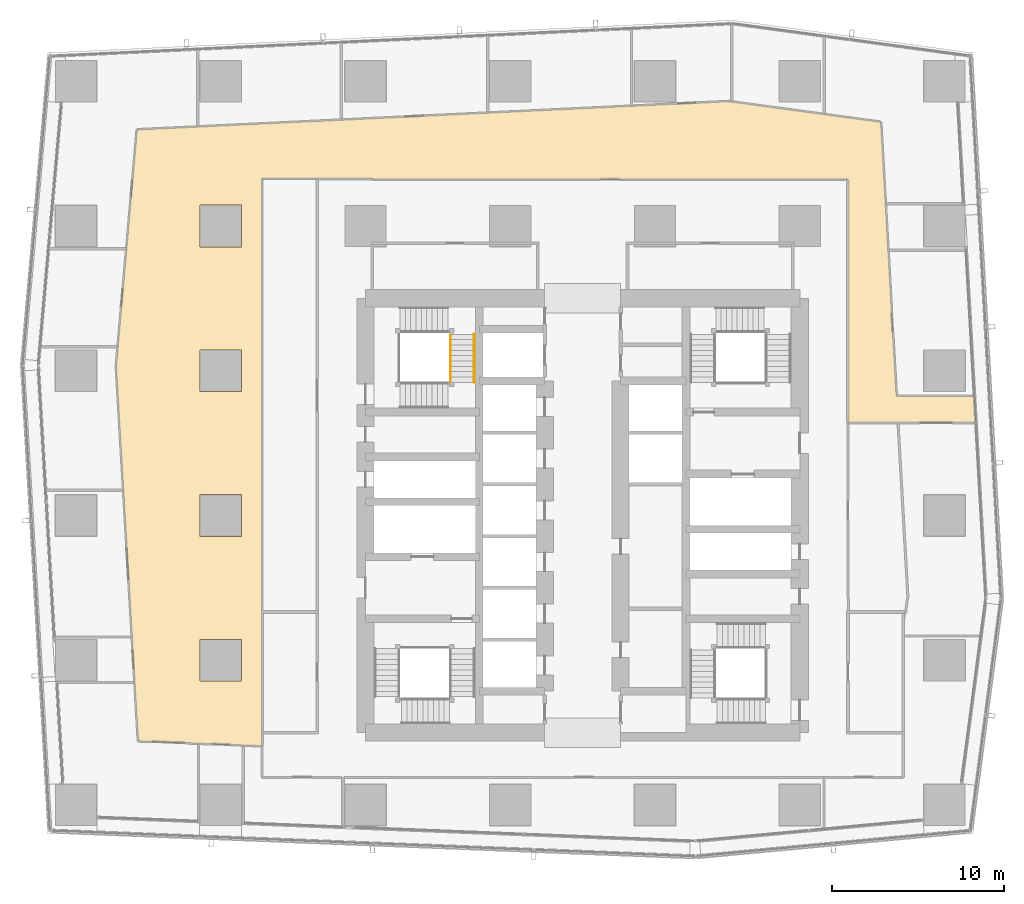
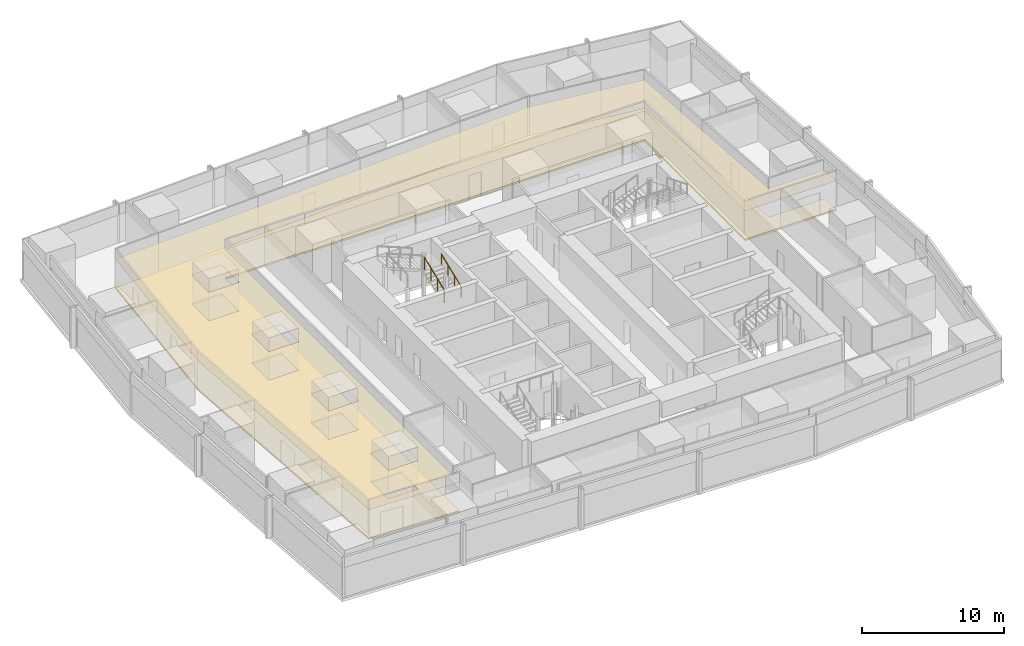
# One storey, part 32 of 37: 2 coverings, 2 railings.
"""IFC4 building model written with IfcOpenShell, lengths in metres."""

from ifc_helpers import new_model, si_unit, direction, frame, origin, origin_2d, place, context, subcontext, project, spatial, polyline, circle, outline, extrude, material, layer, layer_set, type_object, element, save


model = new_model("IFC4")

# Units and contexts
model_context = context("Model", 3, precision=1e-05, world=origin(), true_north=direction((0.0, 1.0)))
body_context = subcontext(model_context, "Body", "Model", "MODEL_VIEW")
ifc_project = project(units=[si_unit("LENGTHUNIT", "METRE"), si_unit("AREAUNIT", "SQUARE_METRE"), si_unit("VOLUMEUNIT", "CUBIC_METRE"), si_unit("PLANEANGLEUNIT", "RADIAN"), si_unit("MASSUNIT", "GRAM", prefix="KILO")], contexts=[model_context])

# Site, building, storey
site_placement = place(None, origin())
site = spatial("IfcSite", under=ifc_project, at=site_placement, CompositionType="ELEMENT")
building_placement = place(site_placement, origin())
building = spatial("IfcBuilding", under=site, at=building_placement, Name="Rekha Terrace Tower", CompositionType="ELEMENT")
storey_placement = place(building_placement, frame((0.0, 0.0, 232.699951171875)))
storey = spatial("IfcBuildingStorey", under=building, at=storey_placement, Name="L59", CompositionType="ELEMENT", Elevation=232.699951171875)

# Covering
ifc_material_1 = material(Name="Mineral fibre tile in exposed grid", Category="finish")
ifc_layer_1 = layer(ifc_material_1, 0.02001953125)
ifc_layer_set_1 = layer_set([ifc_layer_1], Name="Mineral fibre tile in exposed grid")
covering_type_1 = type_object("IfcCoveringType", Name="CL1 600x1200 office grid ceiling", PredefinedType="CEILING", material=ifc_layer_set_1)
covering_1_placement = place(storey_placement, frame((0.0, 0.0, 2.580078125)))
element("IfcCovering", 1, at=covering_1_placement, inside=storey, type_object=covering_type_1, Name="Ceiling L59-O1", PredefinedType="CEILING", context=body_context, shape_type="SweptSolid", body=[
    extrude(outline(polyline([(11.327880859375, 49.080078125), (10.825927734375, 43.39111328125), (10.72509765625, 42.2490234375), (11.14892578125, 35.0439453125), (11.64990234375, 26.531005859375), (11.802978515625, 23.927001953125), (12.0048828125, 20.5048828125), (15.5439453125, 20.364013671875), (18.110107421875, 20.260986328125), (19.199951171875, 20.218017578125), (19.199951171875, 53.14990234375), (25.60009765625, 53.14990234375), (25.60009765625, 53.10009765625), (53.199951171875, 53.10009765625), (53.199951171875, 38.98095703125), (60.60693359375, 38.98095703125), (60.51904296875, 40.531005859375), (56.011962890625, 40.531005859375), (55.530029296875, 49.012939453125), (55.37890625, 51.673095703125), (55.10888671875, 56.43310546875), (51.827880859375, 56.8798828125), (46.444091796875, 57.612060546875), (46.281005859375, 57.634033203125), (40.612060546875, 57.363037109375), (32.284912109375, 56.965087890625), (23.778076171875, 56.55810546875), (15.450927734375, 56.159912109375), (11.93798828125, 55.992919921875), (11.327880859375, 49.080078125)]), holes=[polyline([(18.014892578125, 23.985107421875), (15.5849609375, 23.985107421875), (15.5849609375, 26.4150390625), (18.014892578125, 26.4150390625), (18.014892578125, 23.985107421875)]), polyline([(18.014892578125, 32.385009765625), (15.5849609375, 32.385009765625), (15.5849609375, 34.81494140625), (18.014892578125, 34.81494140625), (18.014892578125, 32.385009765625)]), polyline([(18.014892578125, 43.215087890625), (18.014892578125, 40.784912109375), (15.5849609375, 40.784912109375), (15.5849609375, 43.215087890625), (18.014892578125, 43.215087890625)]), polyline([(18.014892578125, 51.614990234375), (18.014892578125, 49.18505859375), (15.5849609375, 49.18505859375), (15.5849609375, 51.614990234375), (18.014892578125, 51.614990234375)])]), origin(), (0.0, 0.0, 1.0), 0.02001953125),
])

# Railings
ifc_material_2 = material(Name="Stainless steel balustrade", Category="steel")
railing_type_1 = type_object("IfcRailingType", Name="GR1 1100 stair guard", PredefinedType="GUARDRAIL", material=ifc_material_2)
railing_1_placement = place(storey_placement, frame((30.135009765625, 41.324951171875, 1.375)))
element("IfcRailing", 2, at=railing_1_placement, inside=storey, type_object=railing_type_1, Name="Guard ST4 L59 flight 2", PredefinedType="GUARDRAIL", context=body_context, shape_type="SweptSolid", body=[
    extrude(circle(Radius=0.02392578125, at=origin_2d()), frame((0.0, 0.0, 1.076171875), z_axis=(0.0, 0.927443287984, 0.373963831907), x_axis=(-1.0, 0.0, 0.0)), (0.0, 0.0, 1.0), 3.00830078125),
    extrude(circle(Radius=0.02099609375, at=origin_2d()), origin(), (0.0, 0.0, 1.0), 1.052001953125),
    extrude(circle(Radius=0.02099609375, at=origin_2d()), frame((0.0, 0.929931640625, 0.375)), (0.0, 0.0, 1.0), 1.052001953125),
    extrude(circle(Radius=0.02099609375, at=origin_2d()), frame((0.0, 1.860107421875, 0.75)), (0.0, 0.0, 1.0), 1.052001953125),
    extrude(circle(Radius=0.02099609375, at=origin_2d()), frame((0.0, 2.7900390625, 1.125)), (0.0, 0.0, 1.0), 1.052001953125),
])
ifc_material_3 = material(Name="Stainless steel tube", Category="steel")
railing_type_2 = type_object("IfcRailingType", Name="HR1 900 stair handrail", PredefinedType="HANDRAIL", material=ifc_material_3)
railing_2_placement = place(storey_placement, frame((31.514892578125, 41.324951171875, 1.375)))
element("IfcRailing", 3, at=railing_2_placement, inside=storey, type_object=railing_type_2, Name="Handrail ST4 L59 flight 2", PredefinedType="HANDRAIL", context=body_context, shape_type="SweptSolid", body=[
    extrude(circle(Radius=0.02392578125, at=origin_2d()), frame((0.0, 0.0, 0.8759765625), z_axis=(0.0, 0.927443287984, 0.373963831907), x_axis=(-1.0, 0.0, 0.0)), (0.0, 0.0, 1.0), 3.00830078125),
    extrude(circle(Radius=0.02099609375, at=origin_2d()), origin(), (0.0, 0.0, 1.0), 0.851806640625),
    extrude(circle(Radius=0.02099609375, at=origin_2d()), frame((0.0, 0.929931640625, 0.375)), (0.0, 0.0, 1.0), 0.851806640625),
    extrude(circle(Radius=0.02099609375, at=origin_2d()), frame((0.0, 1.860107421875, 0.75)), (0.0, 0.0, 1.0), 0.851806640625),
    extrude(circle(Radius=0.02099609375, at=origin_2d()), frame((0.0, 2.7900390625, 1.125)), (0.0, 0.0, 1.0), 0.851806640625),
])

# Covering
ifc_material_4 = material(Name="Calcium sulphate panels on steel pedestals", Category="steel")
ifc_layer_2 = layer(ifc_material_4, 0.14990234375)
ifc_layer_set_2 = layer_set([ifc_layer_2], Name="Calcium sulphate panels on steel pedestals")
covering_type_2 = type_object("IfcCoveringType", Name="RF1 150 raised access floor", PredefinedType="FLOORING", material=ifc_layer_set_2)
covering_2_placement = place(storey_placement, origin())
element("IfcCovering", 4, at=covering_2_placement, inside=storey, type_object=covering_type_2, Name="Raised floor L59-O1", PredefinedType="FLOORING", context=body_context, shape_type="SweptSolid", body=[
    extrude(outline(polyline([(11.327880859375, 49.080078125), (10.825927734375, 43.39111328125), (10.72509765625, 42.2490234375), (11.14892578125, 35.0439453125), (11.64990234375, 26.531005859375), (11.802978515625, 23.927001953125), (12.0048828125, 20.5048828125), (15.5439453125, 20.364013671875), (18.110107421875, 20.260986328125), (19.199951171875, 20.218017578125), (19.199951171875, 53.14990234375), (25.60009765625, 53.14990234375), (25.60009765625, 53.10009765625), (53.199951171875, 53.10009765625), (53.199951171875, 38.98095703125), (60.60693359375, 38.98095703125), (60.51904296875, 40.531005859375), (56.011962890625, 40.531005859375), (55.530029296875, 49.012939453125), (55.37890625, 51.673095703125), (55.10888671875, 56.43310546875), (51.827880859375, 56.8798828125), (46.444091796875, 57.612060546875), (46.281005859375, 57.634033203125), (40.612060546875, 57.363037109375), (32.284912109375, 56.965087890625), (23.778076171875, 56.55810546875), (15.450927734375, 56.159912109375), (11.93798828125, 55.992919921875), (11.327880859375, 49.080078125)]), holes=[polyline([(18.014892578125, 23.985107421875), (15.5849609375, 23.985107421875), (15.5849609375, 26.4150390625), (18.014892578125, 26.4150390625), (18.014892578125, 23.985107421875)]), polyline([(18.014892578125, 32.385009765625), (15.5849609375, 32.385009765625), (15.5849609375, 34.81494140625), (18.014892578125, 34.81494140625), (18.014892578125, 32.385009765625)]), polyline([(18.014892578125, 43.215087890625), (18.014892578125, 40.784912109375), (15.5849609375, 40.784912109375), (15.5849609375, 43.215087890625), (18.014892578125, 43.215087890625)]), polyline([(18.014892578125, 51.614990234375), (18.014892578125, 49.18505859375), (15.5849609375, 49.18505859375), (15.5849609375, 51.614990234375), (18.014892578125, 51.614990234375)])]), origin(), (0.0, 0.0, 1.0), 0.150146484375),
])

save(model, "model.ifc")
